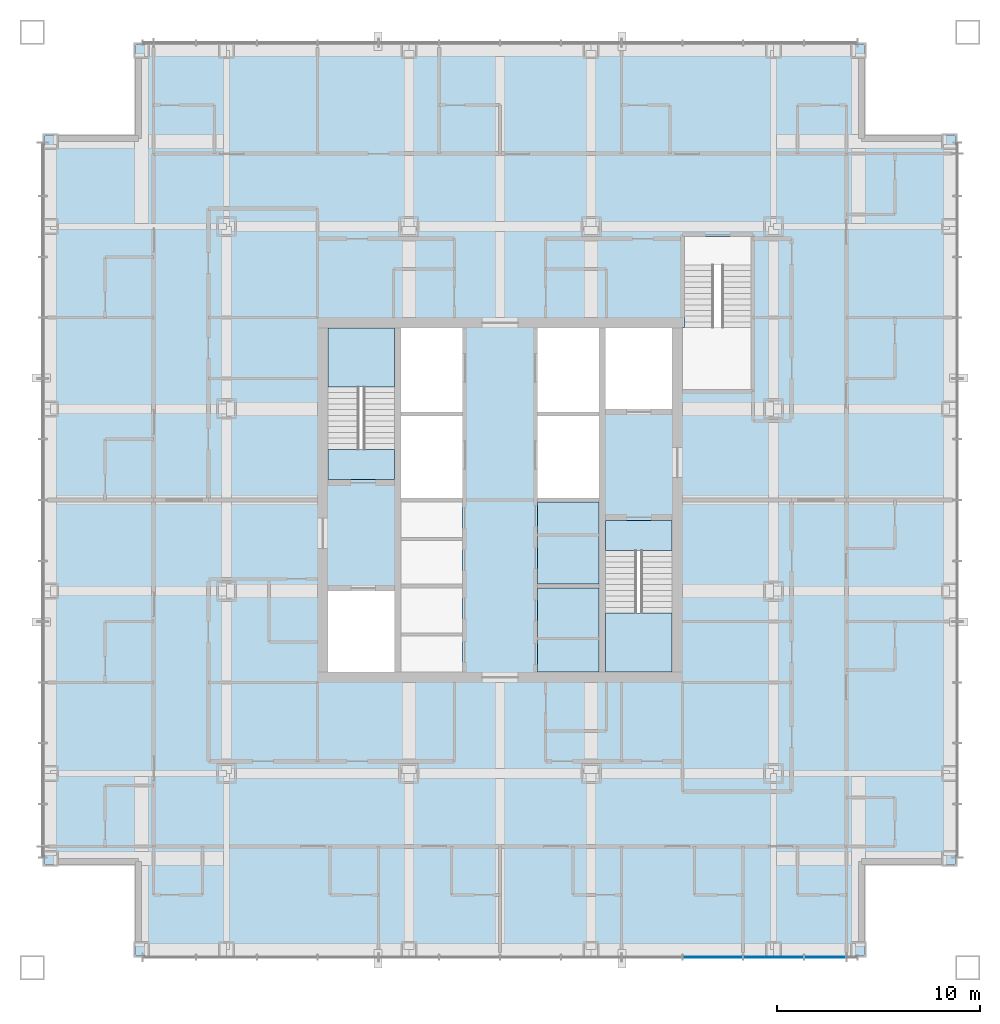
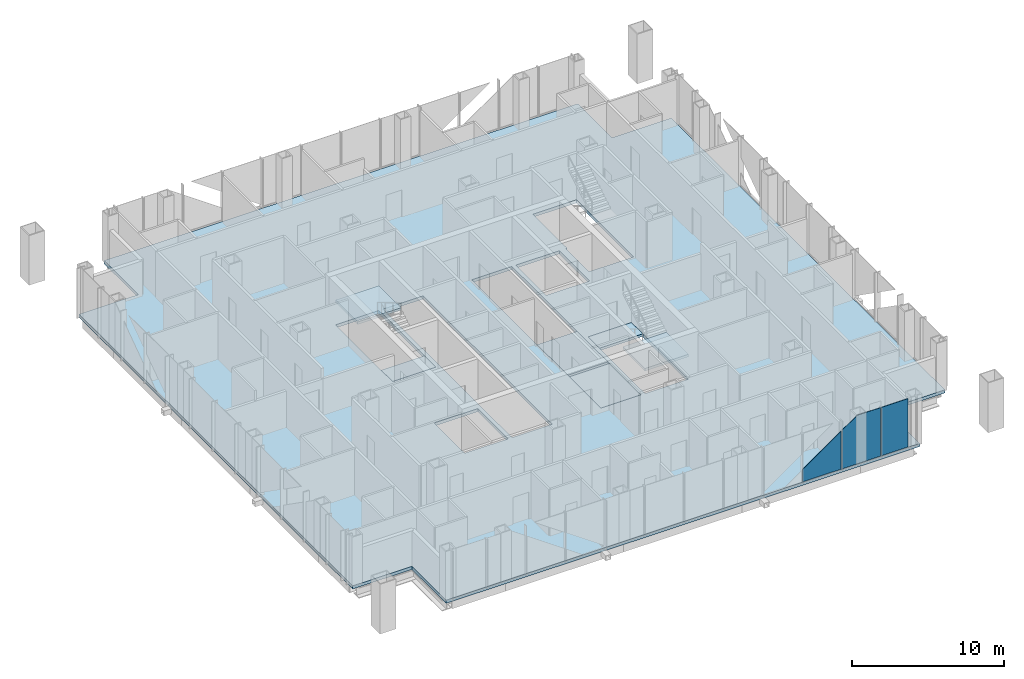
# One storey, part 7 of 16: 7 slabs, 3 plates, 3 elements without a shape of their own.
"""IFC4 building model written with IfcOpenShell, lengths in metres."""

from ifc_helpers import new_model, si_unit, direction, frame, origin, origin_2d, place, context, subcontext, project, spatial, polyline, rectangle, outline, extrude, material, layer, layer_set, type_object, element, aggregate, save


model = new_model("IFC4")

# Units and contexts
model_context = context("Model", 3, precision=1e-05, world=origin(), true_north=direction((0.0, 1.0)))
body_context = subcontext(model_context, "Body", "Model", "MODEL_VIEW")
ifc_project = project(units=[si_unit("LENGTHUNIT", "METRE"), si_unit("AREAUNIT", "SQUARE_METRE"), si_unit("VOLUMEUNIT", "CUBIC_METRE"), si_unit("PLANEANGLEUNIT", "RADIAN"), si_unit("MASSUNIT", "GRAM", prefix="KILO")], contexts=[model_context])

# Site, building, storey
site_placement = place(None, origin())
site = spatial("IfcSite", under=ifc_project, at=site_placement, CompositionType="ELEMENT")
building_placement = place(site_placement, origin())
building = spatial("IfcBuilding", under=site, at=building_placement, Name="Malebo Sky Hospital", CompositionType="ELEMENT")
storey_placement = place(building_placement, frame((0.0, 0.0, 197.0)))
storey = spatial("IfcBuildingStorey", under=building, at=storey_placement, Name="L47", CompositionType="ELEMENT", Elevation=197.0)

# Slabs
ifc_material_1 = material(Name="Concrete C40/50", Category="concrete")
ifc_layer_1 = layer(ifc_material_1, 0.25)
ifc_layer_set_1 = layer_set([ifc_layer_1], Name="COMPOSITE FLOOR SLAB 250")
slab_type_1 = type_object("IfcSlabType", Name="COMPOSITE FLOOR SLAB 250", PredefinedType="FLOOR", material=ifc_layer_set_1)
slab_1_placement = place(storey_placement, frame((0.0, 0.0, -0.25)))
element("IfcSlab", 1, at=slab_1_placement, inside=storey, type_object=slab_type_1, Name="Floor slab L47", PredefinedType="FLOOR", context=body_context, shape_type="SweptSolid", body=[
    extrude(outline(polyline([(42.0, 84.5), (42.0, 80.0), (37.5, 80.0), (37.5, 44.0), (42.0, 44.0), (42.0, 39.5), (78.0, 39.5), (78.0, 44.0), (82.5, 44.0), (82.5, 80.0), (78.0, 80.0), (78.0, 84.5), (42.0, 84.5)]), holes=[polyline([(55.10009765625, 70.5), (58.14990234375, 70.5), (58.14990234375, 53.5), (55.10009765625, 53.5), (55.10009765625, 70.5)]), polyline([(64.89990234375, 70.5), (64.89990234375, 53.5), (61.85009765625, 53.5), (61.85009765625, 70.5), (64.89990234375, 70.5)]), polyline([(54.800048828125, 63.0), (51.5, 63.0), (51.5, 70.5), (54.800048828125, 70.5), (54.800048828125, 63.0)]), polyline([(51.5, 53.5), (51.5, 57.5), (54.800048828125, 57.5), (54.800048828125, 53.5), (51.5, 53.5)]), polyline([(65.199951171875, 61.0), (68.5, 61.0), (68.5, 53.5), (65.199951171875, 53.5), (65.199951171875, 61.0)]), polyline([(68.5, 70.5), (68.5, 66.5), (65.199951171875, 66.5), (65.199951171875, 70.5), (68.5, 70.5)]), polyline([(69.0, 67.449951171875), (69.0, 70.52001953125), (69.10009765625, 70.52001953125), (69.10009765625, 75.0), (72.39990234375, 75.0), (72.39990234375, 67.449951171875), (69.10009765625, 67.449951171875), (69.0, 67.449951171875)])]), origin(), (0.0, 0.0, 1.0), 0.25),
])
ifc_layer_2 = layer(ifc_material_1, 0.25)
ifc_layer_set_2 = layer_set([ifc_layer_2], Name="SHAFT INFILL SLAB 250")
slab_type_2 = type_object("IfcSlabType", Name="SHAFT INFILL SLAB 250", PredefinedType="FLOOR", material=ifc_layer_set_2)
slab_2_placement = place(storey_placement, frame((0.0, 0.0, -0.25)))
element("IfcSlab", 2, at=slab_2_placement, inside=storey, type_object=slab_type_2, Name="Shaft infill slab E1 L47", PredefinedType="FLOOR", context=body_context, shape_type="SweptSolid", body=[
    extrude(outline(polyline([(61.85009765625, 53.5), (64.89990234375, 53.5), (64.89990234375, 57.64990234375), (61.85009765625, 57.64990234375), (61.85009765625, 53.5)])), origin(), (0.0, 0.0, 1.0), 0.25),
])
slab_3_placement = place(storey_placement, frame((0.0, 0.0, -0.25)))
element("IfcSlab", 3, at=slab_3_placement, inside=storey, type_object=slab_type_2, Name="Shaft infill slab E2 L47", PredefinedType="FLOOR", context=body_context, shape_type="SweptSolid", body=[
    extrude(outline(polyline([(61.85009765625, 57.85009765625), (64.89990234375, 57.85009765625), (64.89990234375, 61.89990234375), (61.85009765625, 61.89990234375), (61.85009765625, 57.85009765625)])), origin(), (0.0, 0.0, 1.0), 0.25),
])

# Stair, slabs
stair_type = type_object("IfcStairType", Name="HALF-TURN STAIR 1500 R167", PredefinedType="HALF_TURN_STAIR", material=ifc_material_1)
stair_1_placement = place(storey_placement, origin())
stair_1 = element("IfcStair", 4, at=stair_1_placement, inside=storey, type_object=stair_type, Name="Stair S1 L47 type ST1", PredefinedType="HALF_TURN_STAIR")
ifc_layer_3 = layer(ifc_material_1, 0.199951171875)
ifc_layer_set_3 = layer_set([ifc_layer_3], Name="STAIR LANDING 200")
slab_type_3 = type_object("IfcSlabType", Name="STAIR LANDING 200", PredefinedType="LANDING", material=ifc_layer_set_3)
slab_4_placement = place(storey_placement, frame((0.0, 0.0, -0.199951171875)))
slab_4 = element("IfcSlab", 5, at=slab_4_placement, type_object=slab_type_3, Name="S1 landing 1", PredefinedType="LANDING", context=body_context, shape_type="SweptSolid", body=[
    extrude(outline(polyline([(51.5, 63.0), (54.800048828125, 63.0), (54.800048828125, 64.5), (51.5, 64.5), (51.5, 63.0)])), origin(), (0.0, 0.0, 1.0), 0.199951171875),
])
slab_5_placement = place(storey_placement, frame((0.0, 0.0, 1.800048828125)))
slab_5 = element("IfcSlab", 6, at=slab_5_placement, type_object=slab_type_3, Name="S1 landing 2", PredefinedType="LANDING", context=body_context, shape_type="SweptSolid", body=[
    extrude(outline(polyline([(51.5, 67.580078125), (54.800048828125, 67.580078125), (54.800048828125, 70.5), (51.5, 70.5), (51.5, 67.580078125)])), origin(), (0.0, 0.0, 1.0), 0.199951171875),
])
aggregate(stair_1, [slab_4, slab_5])

stair_2_placement = place(storey_placement, origin())
stair_2 = element("IfcStair", 7, at=stair_2_placement, inside=storey, type_object=stair_type, Name="Stair S2 L47 type ST1", PredefinedType="HALF_TURN_STAIR")
slab_6_placement = place(storey_placement, frame((0.0, 0.0, -0.199951171875)))
slab_6 = element("IfcSlab", 8, at=slab_6_placement, type_object=slab_type_3, Name="S2 landing 1", PredefinedType="LANDING", context=body_context, shape_type="SweptSolid", body=[
    extrude(outline(polyline([(65.199951171875, 59.5), (68.5, 59.5), (68.5, 61.0), (65.199951171875, 61.0), (65.199951171875, 59.5)])), origin(), (0.0, 0.0, 1.0), 0.199951171875),
])
slab_7_placement = place(storey_placement, frame((0.0, 0.0, 1.800048828125)))
slab_7 = element("IfcSlab", 9, at=slab_7_placement, type_object=slab_type_3, Name="S2 landing 2", PredefinedType="LANDING", context=body_context, shape_type="SweptSolid", body=[
    extrude(outline(polyline([(65.199951171875, 53.5), (68.5, 53.5), (68.5, 56.419921875), (65.199951171875, 56.419921875), (65.199951171875, 53.5)])), origin(), (0.0, 0.0, 1.0), 0.199951171875),
])
aggregate(stair_2, [slab_6, slab_7])

# Curtain wall, plates
ifc_material_2 = material(Name="Anodised aluminium, natural silver", Category="aluminium")
ifc_layer_4 = layer(ifc_material_2, 0.25)
ifc_layer_set_4 = layer_set([ifc_layer_4], Name="WARD CURTAIN WALL NORTH AND SOUTH")
curtain_wall_type = type_object("IfcCurtainWallType", Name="WARD CURTAIN WALL NORTH AND SOUTH", PredefinedType="NOTDEFINED", material=ifc_layer_set_4)
curtain_wall_placement = place(storey_placement, origin())
curtain_wall = element("IfcCurtainWall", 10, at=curtain_wall_placement, inside=storey, type_object=curtain_wall_type, Name="NS curtain wall S", PredefinedType="NOTDEFINED")
ifc_material_3 = material(Name="Clear low-iron double glazing", Category="glass")
ifc_layer_5 = layer(ifc_material_3, 0.031982421875)
ifc_layer_set_5 = layer_set([ifc_layer_5], Name="VISION PANEL CLEAR 32")
plate_type = type_object("IfcPlateType", Name="VISION PANEL CLEAR 32", PredefinedType="CURTAIN_PANEL", material=ifc_layer_set_5)
plate_1_placement = place(storey_placement, frame((76.050048828125, 39.425048828125, 0.10009765625), z_axis=(0.0, 0.0, 1.0), x_axis=(-1.0, 0.0, 0.0)))
plate_1 = element("IfcPlate", 11, at=plate_1_placement, type_object=plate_type, Name="Panel 2", PredefinedType="CURTAIN_PANEL", context=body_context, shape_type="SweptSolid", body=[
    extrude(rectangle(XDim=2.02490234375, YDim=0.031982421875, at=origin_2d()), origin(), (0.0, 0.0, 1.0), 3.889892578125),
])
plate_2_placement = place(storey_placement, frame((73.5, 39.425048828125, 0.10009765625), z_axis=(0.0, 0.0, 1.0), x_axis=(-1.0, 0.0, 0.0)))
plate_2 = element("IfcPlate", 12, at=plate_2_placement, type_object=plate_type, Name="Panel 3", PredefinedType="CURTAIN_PANEL", context=body_context, shape_type="SweptSolid", body=[
    extrude(outline(polyline([(-1.46240234375, 0.0), (1.46240234375, 0.0), (1.46240234375, 3.087890625), (0.3203125, 3.889892578125), (-1.46240234375, 3.889892578125), (-1.46240234375, 0.0)])), frame((0.0, 0.01611328125, 0.0), z_axis=(0.0, -1.0, 0.0), x_axis=(1.0, 0.0, 0.0)), (0.0, 0.0, 1.0), 0.031982421875),
])
plate_3_placement = place(storey_placement, frame((70.5, 39.425048828125, 0.099853515625), z_axis=(0.0, 0.0, 1.0), x_axis=(-1.0, 0.0, 0.0)))
plate_3 = element("IfcPlate", 13, at=plate_3_placement, type_object=plate_type, Name="Panel 4", PredefinedType="CURTAIN_PANEL", context=body_context, shape_type="SweptSolid", body=[
    extrude(outline(polyline([(-1.46240234375, 0.0), (1.46240234375, 0.0), (1.46240234375, 0.980712890625), (-1.46240234375, 3.03515625), (-1.46240234375, 0.0)])), frame((0.0, 0.01611328125, 0.0), z_axis=(0.0, -1.0, 0.0), x_axis=(1.0, 0.0, 0.0)), (0.0, 0.0, 1.0), 0.031982421875),
])
aggregate(curtain_wall, [plate_1, plate_2, plate_3])

save(model, "model.ifc")
